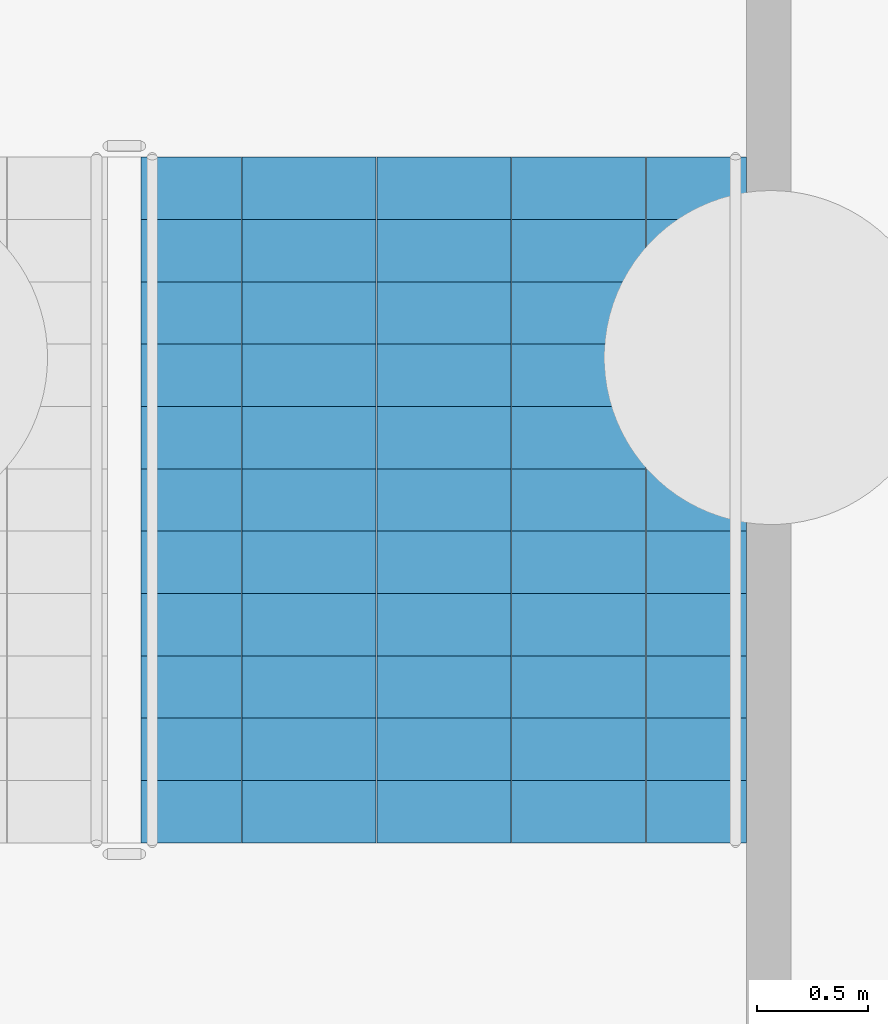
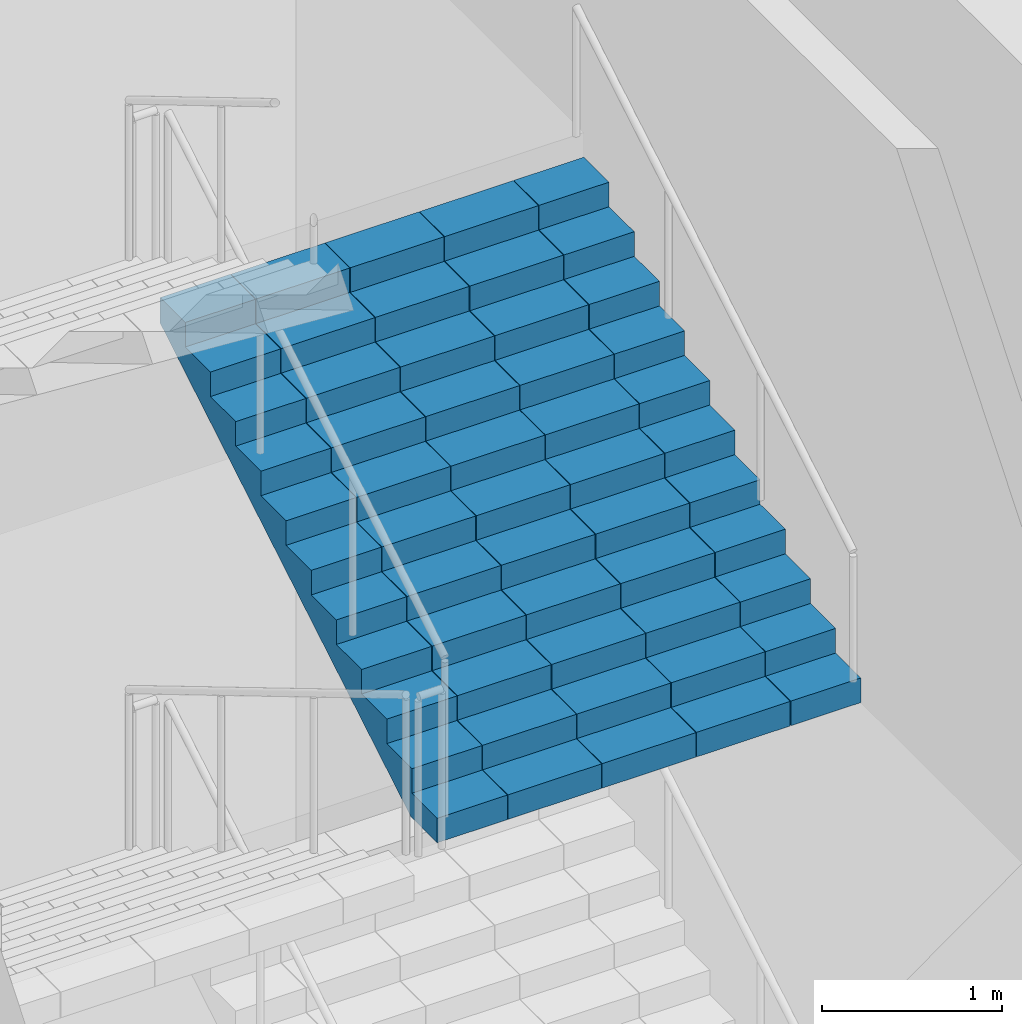
# One storey, part 26 of 34: 1 stair flight, 1 element without a shape of its own.
"""IFC4 building model written with IfcOpenShell, lengths in metres."""

from ifc_helpers import new_model, si_unit, direction, frame, origin, place, context, subcontext, project, spatial, polyline, outline, extrude, material, type_object, element, aggregate, save


model = new_model("IFC4")

# Units and contexts
model_context = context("Model", 3, precision=1e-05, world=origin(), true_north=direction((0.0, 1.0)))
body_context = subcontext(model_context, "Body", "Model", "MODEL_VIEW")
ifc_project = project(units=[si_unit("LENGTHUNIT", "METRE"), si_unit("AREAUNIT", "SQUARE_METRE"), si_unit("VOLUMEUNIT", "CUBIC_METRE"), si_unit("PLANEANGLEUNIT", "RADIAN"), si_unit("MASSUNIT", "GRAM", prefix="KILO")], contexts=[model_context])

# Site, building, storey
site_placement = place(None, origin())
site = spatial("IfcSite", under=ifc_project, at=site_placement, CompositionType="ELEMENT")
building_placement = place(site_placement, origin())
building = spatial("IfcBuilding", under=site, at=building_placement, Name="Corbelhall Arena Tower", CompositionType="ELEMENT")
storey_placement = place(building_placement, origin())
storey = spatial("IfcBuildingStorey", under=building, at=storey_placement, Name="L00", CompositionType="ELEMENT", Elevation=0.0)

# Stair, stair flight
ifc_material = material(Name="Reinforced concrete C40/50", Category="concrete")
stair_type = type_object("IfcStairType", Name="AR-EXIT-STAIR", PredefinedType="HALF_TURN_STAIR", material=ifc_material)
stair_placement = place(storey_placement, origin())
stair = element("IfcStair", 1, at=stair_placement, inside=storey, type_object=stair_type, Name="L00 exit stair AS2", PredefinedType="HALF_TURN_STAIR")
stair_flight_type = type_object("IfcStairFlightType", Name="AR-EXIT-FLIGHT", PredefinedType="STRAIGHT", material=ifc_material)
stair_flight_placement = place(storey_placement, frame((45.030029296875, 27.320068359375, 8.0), z_axis=(0.0, 0.0, 1.0), x_axis=(0.0, 1.0, 0.0)))
stair_flight = element("IfcStairFlight", 2, at=stair_flight_placement, type_object=stair_flight_type, Name="AS2 flight 5", NumberOfRisers=12, NumberOfTreads=11, PredefinedType="STRAIGHT", RiserHeight=0.166666667, TreadLength=0.28, context=body_context, shape_type="SweptSolid", body=[
    extrude(outline(polyline([(0.0, 0.0), (0.0, 0.166748046875), (0.280029296875, 0.166748046875), (0.280029296875, 0.333251953125), (0.56005859375, 0.333251953125), (0.56005859375, 0.5), (0.840087890625, 0.5), (0.840087890625, 0.666748046875), (1.1201171875, 0.666748046875), (1.1201171875, 0.833251953125), (1.39990234375, 0.833251953125), (1.39990234375, 1.0), (1.679931640625, 1.0), (1.679931640625, 1.166748046875), (1.9599609375, 1.166748046875), (1.9599609375, 1.333251953125), (2.239990234375, 1.333251953125), (2.239990234375, 1.5), (2.52001953125, 1.5), (2.52001953125, 1.666748046875), (2.800048828125, 1.666748046875), (2.800048828125, 1.833251953125), (3.080078125, 1.833251953125), (3.080078125, 2.0), (3.080078125, 1.658935546875), (0.29296875, 0.0), (0.0, 0.0)])), frame((0.0, 1.35986328125, 0.0), z_axis=(0.0, -1.0, 0.0), x_axis=(1.0, 0.0, 0.0)), (0.0, 0.0, 1.0), 0.449951171875),
    extrude(outline(polyline([(0.0, 0.0), (0.0, 0.166748046875), (0.280029296875, 0.166748046875), (0.280029296875, 0.333251953125), (0.56005859375, 0.333251953125), (0.56005859375, 0.5), (0.840087890625, 0.5), (0.840087890625, 0.666748046875), (1.1201171875, 0.666748046875), (1.1201171875, 0.833251953125), (1.39990234375, 0.833251953125), (1.39990234375, 1.0), (1.679931640625, 1.0), (1.679931640625, 1.166748046875), (1.9599609375, 1.166748046875), (1.9599609375, 1.333251953125), (2.239990234375, 1.333251953125), (2.239990234375, 1.5), (2.52001953125, 1.5), (2.52001953125, 1.666748046875), (2.800048828125, 1.666748046875), (2.800048828125, 1.833251953125), (3.080078125, 1.833251953125), (3.080078125, 2.0), (3.080078125, 1.658935546875), (0.29296875, 0.0), (0.0, 0.0)])), frame((0.0, 0.906005859375, 0.0), z_axis=(0.0, -1.0, 0.0), x_axis=(1.0, 0.0, 0.0)), (0.0, 0.0, 1.0), 0.601318359375),
    extrude(outline(polyline([(0.0, 0.0), (0.0, 0.166748046875), (0.280029296875, 0.166748046875), (0.280029296875, 0.333251953125), (0.56005859375, 0.333251953125), (0.56005859375, 0.5), (0.840087890625, 0.5), (0.840087890625, 0.666748046875), (1.1201171875, 0.666748046875), (1.1201171875, 0.833251953125), (1.39990234375, 0.833251953125), (1.39990234375, 1.0), (1.679931640625, 1.0), (1.679931640625, 1.166748046875), (1.9599609375, 1.166748046875), (1.9599609375, 1.333251953125), (2.239990234375, 1.333251953125), (2.239990234375, 1.5), (2.52001953125, 1.5), (2.52001953125, 1.666748046875), (2.800048828125, 1.666748046875), (2.800048828125, 1.833251953125), (3.080078125, 1.833251953125), (3.080078125, 2.0), (3.080078125, 1.658935546875), (0.29296875, 0.0), (0.0, 0.0)])), frame((0.0, 0.30078125, 0.0), z_axis=(0.0, -1.0, 0.0), x_axis=(1.0, 0.0, 0.0)), (0.0, 0.0, 1.0), 0.601318359375),
    extrude(outline(polyline([(0.0, 0.0), (0.0, 0.166748046875), (0.280029296875, 0.166748046875), (0.280029296875, 0.333251953125), (0.56005859375, 0.333251953125), (0.56005859375, 0.5), (0.840087890625, 0.5), (0.840087890625, 0.666748046875), (1.1201171875, 0.666748046875), (1.1201171875, 0.833251953125), (1.39990234375, 0.833251953125), (1.39990234375, 1.0), (1.679931640625, 1.0), (1.679931640625, 1.166748046875), (1.9599609375, 1.166748046875), (1.9599609375, 1.333251953125), (2.239990234375, 1.333251953125), (2.239990234375, 1.5), (2.52001953125, 1.5), (2.52001953125, 1.666748046875), (2.800048828125, 1.666748046875), (2.800048828125, 1.833251953125), (3.080078125, 1.833251953125), (3.080078125, 2.0), (3.080078125, 1.658935546875), (0.29296875, 0.0), (0.0, 0.0)])), frame((0.0, -0.3046875, 0.0), z_axis=(0.0, -1.0, 0.0), x_axis=(1.0, 0.0, 0.0)), (0.0, 0.0, 1.0), 0.601318359375),
    extrude(outline(polyline([(0.0, 0.0), (0.0, 0.166748046875), (0.280029296875, 0.166748046875), (0.280029296875, 0.333251953125), (0.56005859375, 0.333251953125), (0.56005859375, 0.5), (0.840087890625, 0.5), (0.840087890625, 0.666748046875), (1.1201171875, 0.666748046875), (1.1201171875, 0.833251953125), (1.39990234375, 0.833251953125), (1.39990234375, 1.0), (1.679931640625, 1.0), (1.679931640625, 1.166748046875), (1.9599609375, 1.166748046875), (1.9599609375, 1.333251953125), (2.239990234375, 1.333251953125), (2.239990234375, 1.5), (2.52001953125, 1.5), (2.52001953125, 1.666748046875), (2.800048828125, 1.666748046875), (2.800048828125, 1.833251953125), (3.080078125, 1.833251953125), (3.080078125, 2.0), (3.080078125, 1.658935546875), (0.29296875, 0.0), (0.0, 0.0)])), frame((0.0, -0.909912109375, 0.0), z_axis=(0.0, -1.0, 0.0), x_axis=(1.0, 0.0, 0.0)), (0.0, 0.0, 1.0), 0.449951171875),
])
aggregate(stair, [stair_flight])

save(model, "model.ifc")
